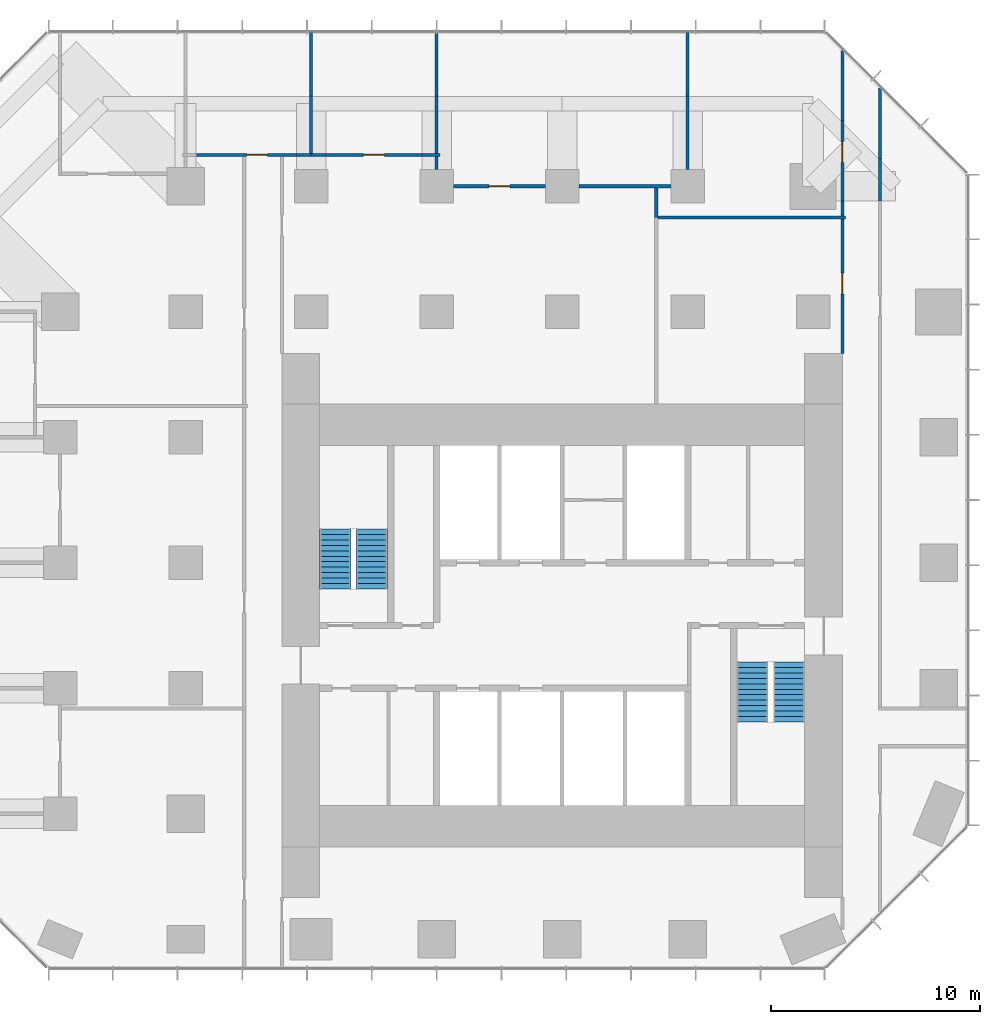
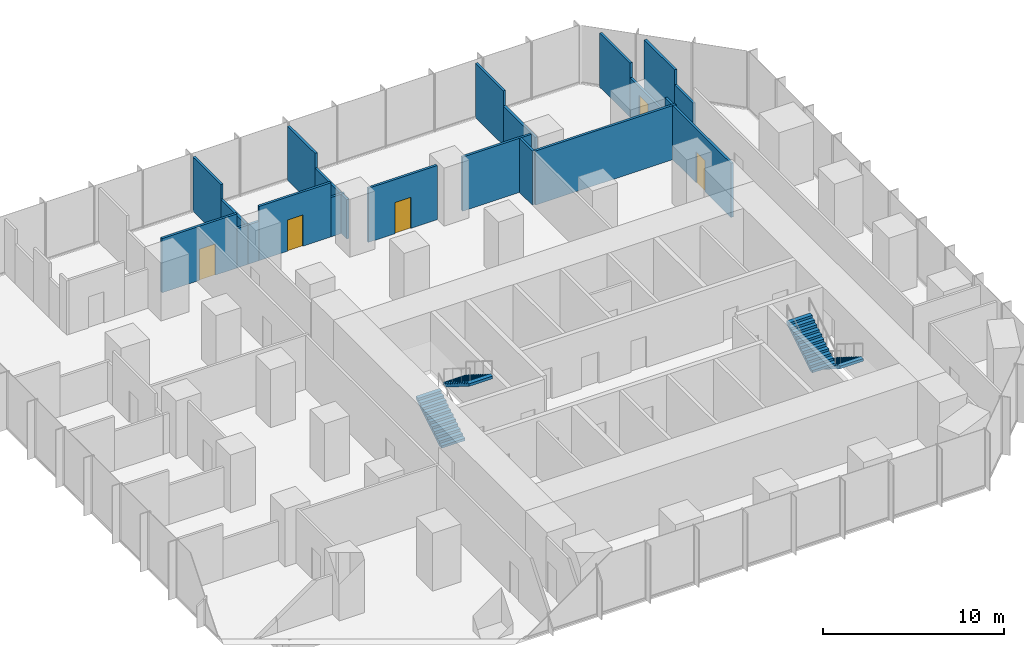
# One storey, part 10 of 11: 22 walls, 5 doors, 4 stair flights, 5 openings, 2 elements without a shape of their own.
"""IFC4 building model written with IfcOpenShell, lengths in metres."""

from ifc_helpers import new_model, si_unit, direction, frame, frame_2d, origin, place, context, subcontext, project, spatial, polyline, rectangle, outline, extrude, material, layer, layer_set, type_object, element, fill, aggregate, save


model = new_model("IFC4")

# Units and contexts
model_context = context("Model", 3, precision=1e-05, world=origin(), true_north=direction((0.0, 1.0)))
body_context = subcontext(model_context, "Body", "Model", "MODEL_VIEW")
ifc_project = project(units=[si_unit("LENGTHUNIT", "METRE"), si_unit("AREAUNIT", "SQUARE_METRE"), si_unit("VOLUMEUNIT", "CUBIC_METRE"), si_unit("PLANEANGLEUNIT", "RADIAN"), si_unit("MASSUNIT", "GRAM", prefix="KILO")], contexts=[model_context])

# Site, building, storey
site_placement = place(None, origin())
site = spatial("IfcSite", under=ifc_project, at=site_placement, CompositionType="ELEMENT")
building_placement = place(site_placement, origin())
building = spatial("IfcBuilding", under=site, at=building_placement, Name="Highveld Stack Headquarters", CompositionType="ELEMENT")
storey_placement = place(building_placement, frame((0.0, 0.0, 105.5)))
storey = spatial("IfcBuildingStorey", under=building, at=storey_placement, Name="L25", CompositionType="ELEMENT", Elevation=105.5)

# Wall, opening, door
ifc_material_1 = material(Name="Gypsum plasterboard on steel studs", Category="steel")
ifc_layer = layer(ifc_material_1, 0.14990234375)
ifc_layer_set = layer_set([ifc_layer], Name="Gypsum plasterboard on steel studs")
wall_type = type_object("IfcWallType", Name="PARTITION 150 PLASTERBOARD", PredefinedType="PARTITIONING", material=ifc_layer_set)
wall_1_placement = place(storey_placement, frame((0.800048828125, 24.0, 0.0), z_axis=(0.0, 0.0, 1.0), x_axis=(1.0, 0.0, 0.0)))
wall_1 = element("IfcWall", 1, at=wall_1_placement, inside=storey, type_object=wall_type, Name="Partition Team office L25", PredefinedType="PARTITIONING", context=body_context, shape_type="SweptSolid", body=[
    extrude(rectangle(XDim=4.39990234375, YDim=0.14990234375, at=frame_2d((2.199951171875, 0.0))), origin(), (0.0, 0.0, 1.0), 3.64990234375),
])
opening_1_placement = place(wall_1_placement, frame((1.699951171875, 0.0, 0.0)))
opening_1 = element("IfcOpeningElement", 2, at=opening_1_placement, cuts=wall_1, Name="Opening L25-19", PredefinedType="OPENING", context=body_context, shape_type="SweptSolid", body=[
    extrude(rectangle(XDim=1.0, YDim=2.10009765625, at=frame_2d((0.5, 1.050048828125))), frame((0.0, 0.0849609375, 0.0), z_axis=(0.0, -1.0, 0.0), x_axis=(1.0, 0.0, 0.0)), (0.0, 0.0, 1.0), 0.169921875),
])
ifc_material_2 = material(Name="Timber door, oiled ash", Category="wood")
door_type = type_object("IfcDoorType", Name="ROOM DOOR D6 1000x2100", OperationType="SINGLE_SWING_LEFT", PredefinedType="DOOR", material=ifc_material_2)
door_1_placement = place(opening_1_placement, origin())
door_1 = element("IfcDoor", 3, at=door_1_placement, inside=storey, type_object=door_type, Name="Team office door 1 L25", OperationType="SINGLE_SWING_RIGHT", OverallHeight=2.10009765625, OverallWidth=1.0, PredefinedType="DOOR", context=body_context, shape_type="SweptSolid", body=[
    extrude(rectangle(XDim=1.0, YDim=2.10009765625, at=frame_2d((0.5, 1.050048828125))), frame((0.0, 0.02490234375, 0.0), z_axis=(0.0, -1.0, 0.0), x_axis=(1.0, 0.0, 0.0)), (0.0, 0.0, 1.0), 0.050048828125),
])
fill(opening_1, door_1)

# Wall
wall_2_placement = place(storey_placement, frame((6.800048828125, 24.0, 0.0), z_axis=(0.0, 0.0, 1.0), x_axis=(1.0, 0.0, 0.0)))
element("IfcWall", 4, at=wall_2_placement, inside=storey, type_object=wall_type, Name="Partition Team office L25", PredefinedType="PARTITIONING", context=body_context, shape_type="SweptSolid", body=[
    extrude(rectangle(XDim=4.39990234375, YDim=0.14990234375, at=frame_2d((2.199951171875, 0.0))), origin(), (0.0, 0.0, 1.0), 3.64990234375),
])

# Wall, opening, door
wall_3_placement = place(storey_placement, frame((-11.489990234375, 25.5, 0.0), z_axis=(0.0, 0.0, 1.0), x_axis=(1.0, 0.0, 0.0)))
wall_3 = element("IfcWall", 5, at=wall_3_placement, inside=storey, type_object=wall_type, Name="Partition Quiet room L25", PredefinedType="PARTITIONING", context=body_context, shape_type="SweptSolid", body=[
    extrude(rectangle(XDim=4.780029296875, YDim=0.14990234375, at=frame_2d((2.39013671875, 0.0))), origin(), (0.0, 0.0, 1.0), 3.64990234375),
])
opening_2_placement = place(wall_3_placement, frame((2.39990234375, 0.0, 0.0)))
opening_2 = element("IfcOpeningElement", 6, at=opening_2_placement, cuts=wall_3, Name="Opening L25-17", PredefinedType="OPENING", context=body_context, shape_type="SweptSolid", body=[
    extrude(rectangle(XDim=1.0, YDim=2.10009765625, at=frame_2d((0.5, 1.050048828125))), frame((0.0, 0.0849609375, 0.0), z_axis=(0.0, -1.0, 0.0), x_axis=(1.0, 0.0, 0.0)), (0.0, 0.0, 1.0), 0.169921875),
])
door_2_placement = place(opening_2_placement, origin())
door_2 = element("IfcDoor", 7, at=door_2_placement, inside=storey, type_object=door_type, Name="Quiet room door 1 L25", OperationType="SINGLE_SWING_RIGHT", OverallHeight=2.10009765625, OverallWidth=1.0, PredefinedType="DOOR", context=body_context, shape_type="SweptSolid", body=[
    extrude(rectangle(XDim=1.0, YDim=2.10009765625, at=frame_2d((0.5, 1.050048828125))), frame((0.0, 0.02490234375, 0.0), z_axis=(0.0, -1.0, 0.0), x_axis=(1.0, 0.0, 0.0)), (0.0, 0.0, 1.0), 0.050048828125),
])
fill(opening_2, door_2)

# Walls
wall_4_placement = place(storey_placement, frame((-6.7099609375, 25.5, 0.0), z_axis=(0.0, 0.0, 1.0), x_axis=(1.0, 0.0, 0.0)))
element("IfcWall", 8, at=wall_4_placement, inside=storey, type_object=wall_type, Name="Partition Quiet room L25", PredefinedType="PARTITIONING", context=body_context, shape_type="SweptSolid", body=[
    extrude(rectangle(XDim=0.784912109375, YDim=0.14990234375, at=frame_2d((0.392578125, 0.0))), origin(), (0.0, 0.0, 1.0), 2.64990234375),
])
wall_5_placement = place(storey_placement, frame((-6.0, 25.5, 0.0), z_axis=(0.0, 0.0, 1.0), x_axis=(1.0, 0.0, 0.0)))
element("IfcWall", 9, at=wall_5_placement, inside=storey, type_object=wall_type, Name="Partition Quiet room L25", PredefinedType="PARTITIONING", context=body_context, shape_type="SweptSolid", body=[
    extrude(rectangle(XDim=0.7099609375, YDim=0.14990234375, at=frame_2d((0.35498046875, 0.0))), origin(), (0.0, 0.0, 1.0), 2.64990234375),
])

# Wall, opening, door
wall_6_placement = place(storey_placement, frame((-5.2900390625, 25.5, 0.0), z_axis=(0.0, 0.0, 1.0), x_axis=(1.0, 0.0, 0.0)))
wall_6 = element("IfcWall", 10, at=wall_6_placement, inside=storey, type_object=wall_type, Name="Partition Quiet room L25", PredefinedType="PARTITIONING", context=body_context, shape_type="SweptSolid", body=[
    extrude(rectangle(XDim=4.580078125, YDim=0.14990234375, at=frame_2d((2.2900390625, 0.0))), origin(), (0.0, 0.0, 1.0), 3.64990234375),
])
opening_3_placement = place(wall_6_placement, frame((1.7900390625, 0.0, 0.0)))
opening_3 = element("IfcOpeningElement", 11, at=opening_3_placement, cuts=wall_6, Name="Opening L25-18", PredefinedType="OPENING", context=body_context, shape_type="SweptSolid", body=[
    extrude(rectangle(XDim=1.0, YDim=2.10009765625, at=frame_2d((0.5, 1.050048828125))), frame((0.0, 0.0849609375, 0.0), z_axis=(0.0, -1.0, 0.0), x_axis=(1.0, 0.0, 0.0)), (0.0, 0.0, 1.0), 0.169921875),
])
door_3_placement = place(opening_3_placement, origin())
door_3 = element("IfcDoor", 12, at=door_3_placement, inside=storey, type_object=door_type, Name="Quiet room door 1 L25", OperationType="SINGLE_SWING_LEFT", OverallHeight=2.10009765625, OverallWidth=1.0, PredefinedType="DOOR", context=body_context, shape_type="SweptSolid", body=[
    extrude(rectangle(XDim=1.0, YDim=2.10009765625, at=frame_2d((0.5, 1.050048828125))), frame((0.0, 0.02490234375, 0.0), z_axis=(0.0, -1.0, 0.0), x_axis=(1.0, 0.0, 0.0)), (0.0, 0.0, 1.0), 0.050048828125),
])
fill(opening_3, door_3)

# Walls
wall_7_placement = place(storey_placement, frame((-0.7099609375, 25.5, 0.0), z_axis=(0.0, 0.0, 1.0), x_axis=(1.0, 0.0, 0.0)))
element("IfcWall", 13, at=wall_7_placement, inside=storey, type_object=wall_type, Name="Partition Quiet room L25", PredefinedType="PARTITIONING", context=body_context, shape_type="SweptSolid", body=[
    extrude(rectangle(XDim=0.85986328125, YDim=0.14990234375, at=frame_2d((0.429931640625, 0.0))), origin(), (0.0, 0.0, 1.0), 2.64990234375),
])
wall_8_placement = place(storey_placement, frame((-6.0, 25.574951171875, 0.0), z_axis=(0.0, 0.0, 1.0), x_axis=(0.0, 1.0, 0.0)))
element("IfcWall", 14, at=wall_8_placement, inside=storey, type_object=wall_type, Name="Partition Quiet room L25", PredefinedType="PARTITIONING", context=body_context, shape_type="SweptSolid", body=[
    extrude(rectangle(XDim=2.735107421875, YDim=0.14990234375, at=frame_2d((1.36767578125, 0.0))), origin(), (0.0, 0.0, 1.0), 2.64990234375),
])
wall_9_placement = place(storey_placement, frame((-6.0, 28.31005859375, 0.0), z_axis=(0.0, 0.0, 1.0), x_axis=(0.0, 1.0, 0.0)))
element("IfcWall", 15, at=wall_9_placement, inside=storey, type_object=wall_type, Name="Partition Quiet room L25", PredefinedType="PARTITIONING", context=body_context, shape_type="SweptSolid", body=[
    extrude(rectangle(XDim=3.08984375, YDim=0.14990234375, at=frame_2d((1.544921875, 0.0))), origin(), (0.0, 0.0, 1.0), 3.64990234375),
])
wall_10_placement = place(storey_placement, frame((0.0, 24.800048828125, 0.0), z_axis=(0.0, 0.0, 1.0), x_axis=(0.0, 1.0, 0.0)))
element("IfcWall", 16, at=wall_10_placement, inside=storey, type_object=wall_type, Name="Partition Team office L25", PredefinedType="PARTITIONING", context=body_context, shape_type="SweptSolid", body=[
    extrude(rectangle(XDim=0.625, YDim=0.14990234375, at=frame_2d((0.3125, 0.0))), origin(), (0.0, 0.0, 1.0), 2.64990234375),
])
wall_11_placement = place(storey_placement, frame((0.0, 25.574951171875, 0.0), z_axis=(0.0, 0.0, 1.0), x_axis=(0.0, 1.0, 0.0)))
element("IfcWall", 17, at=wall_11_placement, inside=storey, type_object=wall_type, Name="Partition Quiet room / Team office L25", PredefinedType="PARTITIONING", context=body_context, shape_type="SweptSolid", body=[
    extrude(rectangle(XDim=2.735107421875, YDim=0.14990234375, at=frame_2d((1.36767578125, 0.0))), origin(), (0.0, 0.0, 1.0), 2.64990234375),
])
wall_12_placement = place(storey_placement, frame((0.0, 28.31005859375, 0.0), z_axis=(0.0, 0.0, 1.0), x_axis=(0.0, 1.0, 0.0)))
element("IfcWall", 18, at=wall_12_placement, inside=storey, type_object=wall_type, Name="Partition Quiet room / Team office L25", PredefinedType="PARTITIONING", context=body_context, shape_type="SweptSolid", body=[
    extrude(rectangle(XDim=3.0400390625, YDim=0.14990234375, at=frame_2d((1.52001953125, 0.0))), origin(), (0.0, 0.0, 1.0), 3.64990234375),
])
wall_13_placement = place(storey_placement, frame((12.0, 24.800048828125, 0.0), z_axis=(0.0, 0.0, 1.0), x_axis=(0.0, 1.0, 0.0)))
element("IfcWall", 19, at=wall_13_placement, inside=storey, type_object=wall_type, Name="Partition Team office L25", PredefinedType="PARTITIONING", context=body_context, shape_type="SweptSolid", body=[
    extrude(rectangle(XDim=3.510009765625, YDim=0.14990234375, at=frame_2d((1.7548828125, 0.0))), origin(), (0.0, 0.0, 1.0), 2.64990234375),
])
wall_14_placement = place(storey_placement, frame((12.0, 28.31005859375, 0.0), z_axis=(0.0, 0.0, 1.0), x_axis=(0.0, 1.0, 0.0)))
element("IfcWall", 20, at=wall_14_placement, inside=storey, type_object=wall_type, Name="Partition Team office L25", PredefinedType="PARTITIONING", context=body_context, shape_type="SweptSolid", body=[
    extrude(rectangle(XDim=3.08984375, YDim=0.14990234375, at=frame_2d((1.544921875, 0.0))), origin(), (0.0, 0.0, 1.0), 3.64990234375),
])
wall_15_placement = place(storey_placement, frame((10.5, 22.5, 0.0), z_axis=(0.0, 0.0, 1.0), x_axis=(0.0, 1.0, 0.0)))
element("IfcWall", 21, at=wall_15_placement, inside=storey, type_object=wall_type, Name="Partition office neighbourhood L25", PredefinedType="PARTITIONING", context=body_context, shape_type="SweptSolid", body=[
    extrude(rectangle(XDim=1.425048828125, YDim=0.14990234375, at=frame_2d((0.71240234375, 0.0))), origin(), (0.0, 0.0, 1.0), 3.64990234375),
])
wall_16_placement = place(storey_placement, frame((10.574951171875, 22.5, 0.0), z_axis=(0.0, 0.0, 1.0), x_axis=(1.0, 0.0, 0.0)))
element("IfcWall", 22, at=wall_16_placement, inside=storey, type_object=wall_type, Name="Partition office neighbourhood L25", PredefinedType="PARTITIONING", context=body_context, shape_type="SweptSolid", body=[
    extrude(rectangle(XDim=8.97509765625, YDim=0.14990234375, at=frame_2d((4.487548828125, 0.0))), origin(), (0.0, 0.0, 1.0), 3.64990234375),
])

# Wall, opening, door
wall_17_placement = place(storey_placement, frame((19.39990234375, 16.0, 0.0), z_axis=(0.0, 0.0, 1.0), x_axis=(0.0, 1.0, 0.0)))
wall_17 = element("IfcWall", 23, at=wall_17_placement, inside=storey, type_object=wall_type, Name="Partition office neighbourhood L25", PredefinedType="PARTITIONING", context=body_context, shape_type="SweptSolid", body=[
    extrude(rectangle(XDim=6.425048828125, YDim=0.14990234375, at=frame_2d((3.21240234375, 0.0))), origin(), (0.0, 0.0, 1.0), 3.64990234375),
])
opening_4_placement = place(wall_17_placement, frame((2.85009765625, 0.0, 0.0)))
opening_4 = element("IfcOpeningElement", 24, at=opening_4_placement, cuts=wall_17, Name="Opening L25-26", PredefinedType="OPENING", context=body_context, shape_type="SweptSolid", body=[
    extrude(rectangle(XDim=1.0, YDim=2.10009765625, at=frame_2d((0.5, 1.050048828125))), frame((0.0, 0.0849609375, 0.0), z_axis=(0.0, -1.0, 0.0), x_axis=(1.0, 0.0, 0.0)), (0.0, 0.0, 1.0), 0.169921875),
])
door_4_placement = place(opening_4_placement, origin())
door_4 = element("IfcDoor", 25, at=door_4_placement, inside=storey, type_object=door_type, Name="Office neighbourhood door L25", OperationType="SINGLE_SWING_RIGHT", OverallHeight=2.10009765625, OverallWidth=1.0, PredefinedType="DOOR", context=body_context, shape_type="SweptSolid", body=[
    extrude(rectangle(XDim=1.0, YDim=2.10009765625, at=frame_2d((0.5, 1.050048828125))), frame((0.0, 0.02490234375, 0.0), z_axis=(0.0, -1.0, 0.0), x_axis=(1.0, 0.0, 0.0)), (0.0, 0.0, 1.0), 0.050048828125),
])
fill(opening_4, door_4)

# Wall
wall_18_placement = place(storey_placement, frame((19.39990234375, 22.574951171875, 0.0), z_axis=(0.0, 0.0, 1.0), x_axis=(0.0, 1.0, 0.0)))
element("IfcWall", 26, at=wall_18_placement, inside=storey, type_object=wall_type, Name="Partition office neighbourhood L25", PredefinedType="PARTITIONING", context=body_context, shape_type="SweptSolid", body=[
    extrude(rectangle(XDim=0.715087890625, YDim=0.14990234375, at=frame_2d((0.357421875, 0.0))), origin(), (0.0, 0.0, 1.0), 3.64990234375),
])

# Wall, opening, door
wall_19_placement = place(storey_placement, frame((19.39990234375, 23.2900390625, 0.0), z_axis=(0.0, 0.0, 1.0), x_axis=(0.0, 1.0, 0.0)))
wall_19 = element("IfcWall", 27, at=wall_19_placement, inside=storey, type_object=wall_type, Name="Partition office neighbourhood L25", PredefinedType="PARTITIONING", context=body_context, shape_type="SweptSolid", body=[
    extrude(rectangle(XDim=3.849853515625, YDim=0.14990234375, at=frame_2d((1.9248046875, 0.0))), origin(), (0.0, 0.0, 1.0), 2.64990234375),
])
opening_5_placement = place(wall_19_placement, frame((1.85009765625, 0.0, 0.0)))
opening_5 = element("IfcOpeningElement", 28, at=opening_5_placement, cuts=wall_19, Name="Opening L25-27", PredefinedType="OPENING", context=body_context, shape_type="SweptSolid", body=[
    extrude(rectangle(XDim=1.0, YDim=2.10009765625, at=frame_2d((0.5, 1.050048828125))), frame((0.0, 0.0849609375, 0.0), z_axis=(0.0, -1.0, 0.0), x_axis=(1.0, 0.0, 0.0)), (0.0, 0.0, 1.0), 0.169921875),
])
door_5_placement = place(opening_5_placement, origin())
door_5 = element("IfcDoor", 29, at=door_5_placement, inside=storey, type_object=door_type, Name="Office neighbourhood door L25", OperationType="SINGLE_SWING_RIGHT", OverallHeight=2.10009765625, OverallWidth=1.0, PredefinedType="DOOR", context=body_context, shape_type="SweptSolid", body=[
    extrude(rectangle(XDim=1.0, YDim=2.10009765625, at=frame_2d((0.5, 1.050048828125))), frame((0.0, 0.02490234375, 0.0), z_axis=(0.0, -1.0, 0.0), x_axis=(1.0, 0.0, 0.0)), (0.0, 0.0, 1.0), 0.050048828125),
])
fill(opening_5, door_5)

# Walls
wall_20_placement = place(storey_placement, frame((19.39990234375, 27.139892578125, 0.0), z_axis=(0.0, 0.0, 1.0), x_axis=(0.0, 1.0, 0.0)))
element("IfcWall", 30, at=wall_20_placement, inside=storey, type_object=wall_type, Name="Partition office neighbourhood L25", PredefinedType="PARTITIONING", context=body_context, shape_type="SweptSolid", body=[
    extrude(rectangle(XDim=3.34912109375, YDim=0.14990234375, at=frame_2d((1.674560546875, 0.0))), origin(), (0.0, 0.0, 1.0), 3.64990234375),
])
wall_21_placement = place(storey_placement, frame((21.199951171875, 23.2900390625, 0.0), z_axis=(0.0, 0.0, 1.0), x_axis=(0.0, 1.0, 0.0)))
element("IfcWall", 31, at=wall_21_placement, inside=storey, type_object=wall_type, Name="Partition office neighbourhood L25", PredefinedType="PARTITIONING", context=body_context, shape_type="SweptSolid", body=[
    extrude(rectangle(XDim=2.050048828125, YDim=0.14990234375, at=frame_2d((1.02490234375, 0.0))), origin(), (0.0, 0.0, 1.0), 2.64990234375),
])
wall_22_placement = place(storey_placement, frame((21.199951171875, 25.340087890625, 0.0), z_axis=(0.0, 0.0, 1.0), x_axis=(0.0, 1.0, 0.0)))
element("IfcWall", 32, at=wall_22_placement, inside=storey, type_object=wall_type, Name="Partition office neighbourhood L25", PredefinedType="PARTITIONING", context=body_context, shape_type="SweptSolid", body=[
    extrude(rectangle(XDim=3.348876953125, YDim=0.14990234375, at=frame_2d((1.67431640625, 0.0))), origin(), (0.0, 0.0, 1.0), 3.64990234375),
])

# Stair, stair flights
ifc_material_3 = material(Name="Concrete C40/50, precast", Category="concrete")
stair_type_1 = type_object("IfcStairType", Name="STAIR S1 HALF TURN 1500", PredefinedType="HALF_TURN_STAIR", material=ifc_material_3)
stair_1_placement = place(storey_placement, origin())
stair_1 = element("IfcStair", 33, at=stair_1_placement, inside=storey, type_object=stair_type_1, Name="Stair S1 L25", PredefinedType="HALF_TURN_STAIR")
ifc_material_4 = material(Name="Concrete C40/50, precast", Category="concrete")
stair_flight_type = type_object("IfcStairFlightType", Name="STAIR FLIGHT 1500 PRECAST", PredefinedType="STRAIGHT", material=ifc_material_4)
stair_flight_1_placement = place(storey_placement, frame((-4.85009765625, 4.75, 0.0), z_axis=(0.0, 0.0, 1.0), x_axis=(0.0, 1.0, 0.0)))
stair_flight_1 = element("IfcStairFlight", 34, at=stair_flight_1_placement, type_object=stair_flight_type, Name="S1 flight 1", NumberOfRisers=12, NumberOfTreads=11, PredefinedType="STRAIGHT", RiserHeight=0.1625, TreadLength=0.26, context=body_context, shape_type="SweptSolid", body=[
    extrude(outline(polyline([(0.0, 0.0), (0.0, 0.16259765625), (0.260009765625, 0.16259765625), (0.260009765625, 0.324951171875), (0.52001953125, 0.324951171875), (0.52001953125, 0.487548828125), (0.780029296875, 0.487548828125), (0.780029296875, 0.64990234375), (1.0400390625, 0.64990234375), (1.0400390625, 0.8125), (1.300048828125, 0.8125), (1.300048828125, 0.97509765625), (1.56005859375, 0.97509765625), (1.56005859375, 1.137451171875), (1.820068359375, 1.137451171875), (1.820068359375, 1.300048828125), (2.080078125, 1.300048828125), (2.080078125, 1.46240234375), (2.340087890625, 1.46240234375), (2.340087890625, 1.625), (2.60009765625, 1.625), (2.60009765625, 1.78759765625), (2.860107421875, 1.78759765625), (2.860107421875, 1.949951171875), (2.860107421875, 1.61083984375), (0.28271484375, 0.0), (0.0, 0.0)])), frame((0.0, 0.75, 0.0), z_axis=(0.0, -1.0, 0.0), x_axis=(1.0, 0.0, 0.0)), (0.0, 0.0, 1.0), 1.5),
])
stair_flight_2_placement = place(storey_placement, frame((-3.10009765625, 7.610107421875, 1.949951171875), z_axis=(0.0, 0.0, 1.0), x_axis=(0.0, -1.0, 0.0)))
stair_flight_2 = element("IfcStairFlight", 35, at=stair_flight_2_placement, type_object=stair_flight_type, Name="S1 flight 2", NumberOfRisers=12, NumberOfTreads=11, PredefinedType="STRAIGHT", RiserHeight=0.1625, TreadLength=0.26, context=body_context, shape_type="SweptSolid", body=[
    extrude(outline(polyline([(0.0, 0.0), (0.0, 0.16259765625), (0.260009765625, 0.16259765625), (0.260009765625, 0.324951171875), (0.52001953125, 0.324951171875), (0.52001953125, 0.487548828125), (0.780029296875, 0.487548828125), (0.780029296875, 0.64990234375), (1.0400390625, 0.64990234375), (1.0400390625, 0.8125), (1.300048828125, 0.8125), (1.300048828125, 0.97509765625), (1.56005859375, 0.97509765625), (1.56005859375, 1.137451171875), (1.820068359375, 1.137451171875), (1.820068359375, 1.300048828125), (2.080078125, 1.300048828125), (2.080078125, 1.46240234375), (2.340087890625, 1.46240234375), (2.340087890625, 1.625), (2.60009765625, 1.625), (2.60009765625, 1.78759765625), (2.860107421875, 1.78759765625), (2.860107421875, 1.949951171875), (2.860107421875, 1.61083984375), (0.28271484375, 0.0), (0.0, 0.0)])), frame((0.0, 0.75, 0.0), z_axis=(0.0, -1.0, 0.0), x_axis=(1.0, 0.0, 0.0)), (0.0, 0.0, 1.0), 1.5),
])
aggregate(stair_1, [stair_flight_1, stair_flight_2])

ifc_material_5 = material(Name="Concrete C40/50, precast", Category="concrete")
stair_type_2 = type_object("IfcStairType", Name="STAIR S2 HALF TURN 1500", PredefinedType="HALF_TURN_STAIR", material=ifc_material_5)
stair_2_placement = place(storey_placement, origin())
stair_2 = element("IfcStair", 36, at=stair_2_placement, inside=storey, type_object=stair_type_2, Name="Stair S2 L25", PredefinedType="HALF_TURN_STAIR")
stair_flight_3_placement = place(storey_placement, frame((16.85009765625, 1.25, 0.0), z_axis=(0.0, 0.0, 1.0), x_axis=(0.0, -1.0, 0.0)))
stair_flight_3 = element("IfcStairFlight", 37, at=stair_flight_3_placement, type_object=stair_flight_type, Name="S2 flight 1", NumberOfRisers=12, NumberOfTreads=11, PredefinedType="STRAIGHT", RiserHeight=0.1625, TreadLength=0.26, context=body_context, shape_type="SweptSolid", body=[
    extrude(outline(polyline([(0.0, 0.0), (0.0, 0.16259765625), (0.260009765625, 0.16259765625), (0.260009765625, 0.324951171875), (0.52001953125, 0.324951171875), (0.52001953125, 0.487548828125), (0.780029296875, 0.487548828125), (0.780029296875, 0.64990234375), (1.0400390625, 0.64990234375), (1.0400390625, 0.8125), (1.300048828125, 0.8125), (1.300048828125, 0.97509765625), (1.56005859375, 0.97509765625), (1.56005859375, 1.137451171875), (1.820068359375, 1.137451171875), (1.820068359375, 1.300048828125), (2.080078125, 1.300048828125), (2.080078125, 1.46240234375), (2.340087890625, 1.46240234375), (2.340087890625, 1.625), (2.60009765625, 1.625), (2.60009765625, 1.78759765625), (2.860107421875, 1.78759765625), (2.860107421875, 1.949951171875), (2.860107421875, 1.61083984375), (0.28271484375, 0.0), (0.0, 0.0)])), frame((0.0, 0.75, 0.0), z_axis=(0.0, -1.0, 0.0), x_axis=(1.0, 0.0, 0.0)), (0.0, 0.0, 1.0), 1.5),
])
stair_flight_4_placement = place(storey_placement, frame((15.10009765625, -1.610107421875, 1.949951171875), z_axis=(0.0, 0.0, 1.0), x_axis=(0.0, 1.0, 0.0)))
stair_flight_4 = element("IfcStairFlight", 38, at=stair_flight_4_placement, type_object=stair_flight_type, Name="S2 flight 2", NumberOfRisers=12, NumberOfTreads=11, PredefinedType="STRAIGHT", RiserHeight=0.1625, TreadLength=0.26, context=body_context, shape_type="SweptSolid", body=[
    extrude(outline(polyline([(0.0, 0.0), (0.0, 0.16259765625), (0.260009765625, 0.16259765625), (0.260009765625, 0.324951171875), (0.52001953125, 0.324951171875), (0.52001953125, 0.487548828125), (0.780029296875, 0.487548828125), (0.780029296875, 0.64990234375), (1.0400390625, 0.64990234375), (1.0400390625, 0.8125), (1.300048828125, 0.8125), (1.300048828125, 0.97509765625), (1.56005859375, 0.97509765625), (1.56005859375, 1.137451171875), (1.820068359375, 1.137451171875), (1.820068359375, 1.300048828125), (2.080078125, 1.300048828125), (2.080078125, 1.46240234375), (2.340087890625, 1.46240234375), (2.340087890625, 1.625), (2.60009765625, 1.625), (2.60009765625, 1.78759765625), (2.860107421875, 1.78759765625), (2.860107421875, 1.949951171875), (2.860107421875, 1.61083984375), (0.28271484375, 0.0), (0.0, 0.0)])), frame((0.0, 0.75, 0.0), z_axis=(0.0, -1.0, 0.0), x_axis=(1.0, 0.0, 0.0)), (0.0, 0.0, 1.0), 1.5),
])
aggregate(stair_2, [stair_flight_3, stair_flight_4])

save(model, "model.ifc")
